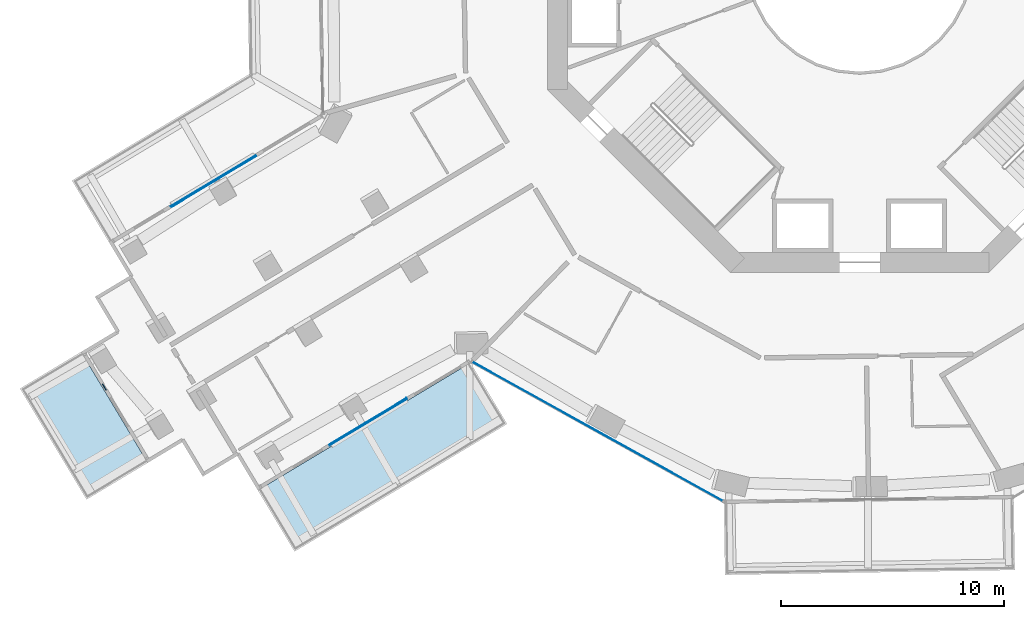
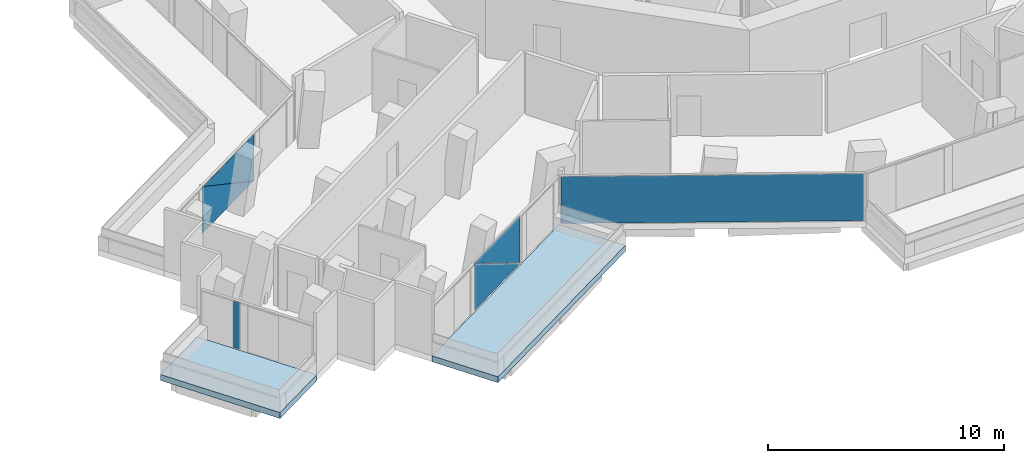
# One storey, part 13 of 25: 6 plates, 2 slabs, 4 elements without a shape of their own.
"""IFC4 building model written with IfcOpenShell, lengths in metres."""

from ifc_helpers import new_model, si_unit, direction, frame, origin, origin_2d, place, context, subcontext, project, spatial, polyline, rectangle, outline, extrude, material, layer, layer_set, type_object, element, aggregate, save


model = new_model("IFC4")

# Units and contexts
model_context = context("Model", 3, precision=1e-05, world=origin(), true_north=direction((0.0, 1.0)))
body_context = subcontext(model_context, "Body", "Model", "MODEL_VIEW")
ifc_project = project(units=[si_unit("LENGTHUNIT", "METRE"), si_unit("AREAUNIT", "SQUARE_METRE"), si_unit("VOLUMEUNIT", "CUBIC_METRE"), si_unit("PLANEANGLEUNIT", "RADIAN"), si_unit("MASSUNIT", "GRAM", prefix="KILO")], contexts=[model_context])

# Site, building, storey
site_placement = place(None, origin())
site = spatial("IfcSite", under=ifc_project, at=site_placement, CompositionType="ELEMENT")
building_placement = place(site_placement, origin())
building = spatial("IfcBuilding", under=site, at=building_placement, Name="Verdalira Terraces Hotel", CompositionType="ELEMENT")
storey_placement = place(building_placement, frame((0.0, 0.0, 39.0)))
storey = spatial("IfcBuildingStorey", under=building, at=storey_placement, Name="L07", CompositionType="ELEMENT", Elevation=39.0)

# Slabs
ifc_material_1 = material(Name="Precast concrete C40/50", Category="concrete")
ifc_layer_1 = layer(ifc_material_1, 0.31005859375)
ifc_layer_set_1 = layer_set([ifc_layer_1], Name="Balcony deck 310")
slab_type = type_object("IfcSlabType", Name="Balcony deck 310", PredefinedType="FLOOR", material=ifc_layer_set_1)
slab_1_placement = place(storey_placement, frame((0.0, 0.0, -0.310059)))
element("IfcSlab", 1, at=slab_1_placement, inside=storey, type_object=slab_type, Name="Balcony deck", PredefinedType="FLOOR", context=body_context, shape_type="SweptSolid", body=[
    extrude(outline(polyline([(-34.674561, -24.18335), (-31.93042, -22.537354), (-34.914307, -17.563477), (-37.658203, -19.209717), (-34.674561, -24.18335)])), origin(), (0.0, 0.0, 1.0), 0.310059),
])
slab_2_placement = place(storey_placement, frame((0.0, 0.0, -0.310059)))
element("IfcSlab", 2, at=slab_2_placement, inside=storey, type_object=slab_type, Name="Balcony deck", PredefinedType="FLOOR", context=body_context, shape_type="SweptSolid", body=[
    extrude(outline(polyline([(-15.812012, -20.797363), (-17.458252, -18.053467), (-26.991455, -23.772461), (-25.345215, -26.516357), (-15.812012, -20.797363)])), origin(), (0.0, 0.0, 1.0), 0.310059),
])

# Curtain wall, plate
ifc_material_2 = material(Name="Clear glass", Category="glass")
ifc_layer_2 = layer(ifc_material_2, 0.14990234375)
ifc_layer_set_2 = layer_set([ifc_layer_2], Name="CW1 curtain wall")
curtain_wall_type_1 = type_object("IfcCurtainWallType", Name="CW1 curtain wall", PredefinedType="NOTDEFINED", material=ifc_layer_set_2)
curtain_wall_1_placement = place(storey_placement, origin())
curtain_wall_1 = element("IfcCurtainWall", 3, at=curtain_wall_1_placement, inside=storey, type_object=curtain_wall_type_1, Name="CW1 curtain wall L07 edge 25", PredefinedType="NOTDEFINED")
ifc_material_3 = material(Name="Clear glass", Category="glass")
ifc_layer_3 = layer(ifc_material_3, 0.028076171875)
ifc_layer_set_3 = layer_set([ifc_layer_3], Name="CW1 glass unit 28")
plate_type_1 = type_object("IfcPlateType", Name="CW1 glass unit 28", PredefinedType="CURTAIN_PANEL", material=ifc_layer_set_3)
plate_1_placement = place(storey_placement, frame((-11.756592, -21.133301, 0.0), z_axis=(0.0, 0.0, 1.0), x_axis=(0.874281033, -0.485420102, 0.0)))
plate_1 = element("IfcPlate", 4, at=plate_1_placement, type_object=plate_type_1, Name="CW1 glass unit", PredefinedType="CURTAIN_PANEL", context=body_context, shape_type="SweptSolid", body=[
    extrude(rectangle(XDim=12.839844, YDim=0.028076, at=origin_2d()), origin(), (0.0, 0.0, 1.0), 2.425049),
])
aggregate(curtain_wall_1, [plate_1])

# Curtain wall, plates
ifc_material_4 = material(Name="Clear glass", Category="glass")
ifc_layer_4 = layer(ifc_material_4, 0.14990234375)
ifc_layer_set_4 = layer_set([ifc_layer_4], Name="CW2 curtain wall")
curtain_wall_type_2 = type_object("IfcCurtainWallType", Name="CW2 curtain wall", PredefinedType="NOTDEFINED", material=ifc_layer_set_4)
curtain_wall_2_placement = place(storey_placement, origin())
curtain_wall_2 = element("IfcCurtainWall", 5, at=curtain_wall_2_placement, inside=storey, type_object=curtain_wall_type_2, Name="CW2 curtain wall L07 edge 14", PredefinedType="NOTDEFINED")
ifc_material_5 = material(Name="Clear glass", Category="glass")
ifc_layer_5 = layer(ifc_material_5, 0.031982421875)
ifc_layer_set_5 = layer_set([ifc_layer_5], Name="CW2 glass unit 32")
plate_type_2 = type_object("IfcPlateType", Name="CW2 glass unit 32", PredefinedType="CURTAIN_PANEL", material=ifc_layer_set_5)
plate_2_placement = place(storey_placement, frame((-28.978027, -9.9104, 1.212402), z_axis=(-0.514439534, 0.857526656, 0.0), x_axis=(-0.857526656, -0.514439534, 0.0)))
plate_2 = element("IfcPlate", 6, at=plate_2_placement, type_object=plate_type_2, Name="CW2 glass unit", PredefinedType="CURTAIN_PANEL", context=body_context, shape_type="SweptSolid", body=[
    extrude(outline(polyline([(-2.217529, -1.212402), (2.217529, -1.212402), (2.217529, 1.212402), (-2.217529, -1.212402)])), origin(), (0.0, 0.0, 1.0), 0.031982),
])
plate_3_placement = place(storey_placement, frame((-28.961182, -9.938721, 1.212402), z_axis=(-0.514439534, 0.857526656, 0.0), x_axis=(-0.857526656, -0.514439534, 0.0)))
plate_3 = element("IfcPlate", 7, at=plate_3_placement, type_object=plate_type_2, Name="CW2 glass unit", PredefinedType="CURTAIN_PANEL", context=body_context, shape_type="SweptSolid", body=[
    extrude(outline(polyline([(-2.217529, -1.212402), (2.217529, 1.212402), (-2.217529, 1.212402), (-2.217529, -1.212402)])), origin(), (0.0, 0.0, 1.0), 0.031982),
])
aggregate(curtain_wall_2, [plate_2, plate_3])

curtain_wall_3_placement = place(storey_placement, origin())
curtain_wall_3 = element("IfcCurtainWall", 8, at=curtain_wall_3_placement, inside=storey, type_object=curtain_wall_type_2, Name="CW2 curtain wall L07 edge 24", PredefinedType="NOTDEFINED")
plate_4_placement = place(storey_placement, frame((-22.043213, -20.697754, 1.212402), z_axis=(0.514439534, -0.857526656, 0.0), x_axis=(0.857526656, 0.514439534, 0.0)))
plate_4 = element("IfcPlate", 9, at=plate_4_placement, type_object=plate_type_2, Name="CW2 glass unit", PredefinedType="CURTAIN_PANEL", context=body_context, shape_type="SweptSolid", body=[
    extrude(outline(polyline([(-2.021973, -1.212402), (2.021973, -1.212402), (-2.021973, 1.212402), (-2.021973, -1.212402)])), origin(), (0.0, 0.0, 1.0), 0.031982),
])
plate_5_placement = place(storey_placement, frame((-22.060059, -20.669434, 1.212402), z_axis=(0.514439534, -0.857526656, 0.0), x_axis=(0.857526656, 0.514439534, 0.0)))
plate_5 = element("IfcPlate", 10, at=plate_5_placement, type_object=plate_type_2, Name="CW2 glass unit", PredefinedType="CURTAIN_PANEL", context=body_context, shape_type="SweptSolid", body=[
    extrude(outline(polyline([(2.021973, -1.212402), (2.021973, 1.212402), (-2.021973, 1.212402), (2.021973, -1.212402)])), origin(), (0.0, 0.0, 1.0), 0.031982),
])
aggregate(curtain_wall_3, [plate_4, plate_5])

# Curtain wall, plate
ifc_material_6 = material(Name="Clear glass", Category="glass")
ifc_layer_6 = layer(ifc_material_6, 0.14990234375)
ifc_layer_set_6 = layer_set([ifc_layer_6], Name="CW3 curtain wall")
curtain_wall_type_3 = type_object("IfcCurtainWallType", Name="CW3 curtain wall", PredefinedType="NOTDEFINED", material=ifc_layer_set_6)
curtain_wall_4_placement = place(storey_placement, origin())
curtain_wall_4 = element("IfcCurtainWall", 11, at=curtain_wall_4_placement, inside=storey, type_object=curtain_wall_type_3, Name="CW3 curtain wall L07 edge 19", PredefinedType="NOTDEFINED")
ifc_material_7 = material(Name="Clear glass", Category="glass")
ifc_layer_7 = layer(ifc_material_7, 0.035888671875)
ifc_layer_set_7 = layer_set([ifc_layer_7], Name="CW3 glass unit 36")
plate_type_3 = type_object("IfcPlateType", Name="CW3 glass unit 36", PredefinedType="CURTAIN_PANEL", material=ifc_layer_set_7)
plate_6_placement = place(storey_placement, frame((-33.87915, -19.143311, 0.0), z_axis=(0.0, 0.0, 1.0), x_axis=(0.514439534, -0.857526656, 0.0)))
plate_6 = element("IfcPlate", 12, at=plate_6_placement, type_object=plate_type_3, Name="CW3 glass unit", PredefinedType="CURTAIN_PANEL", context=body_context, shape_type="SweptSolid", body=[
    extrude(rectangle(XDim=0.305664, YDim=0.035889, at=origin_2d()), origin(), (0.0, 0.0, 1.0), 2.425049),
])
aggregate(curtain_wall_4, [plate_6])

save(model, "model.ifc")
